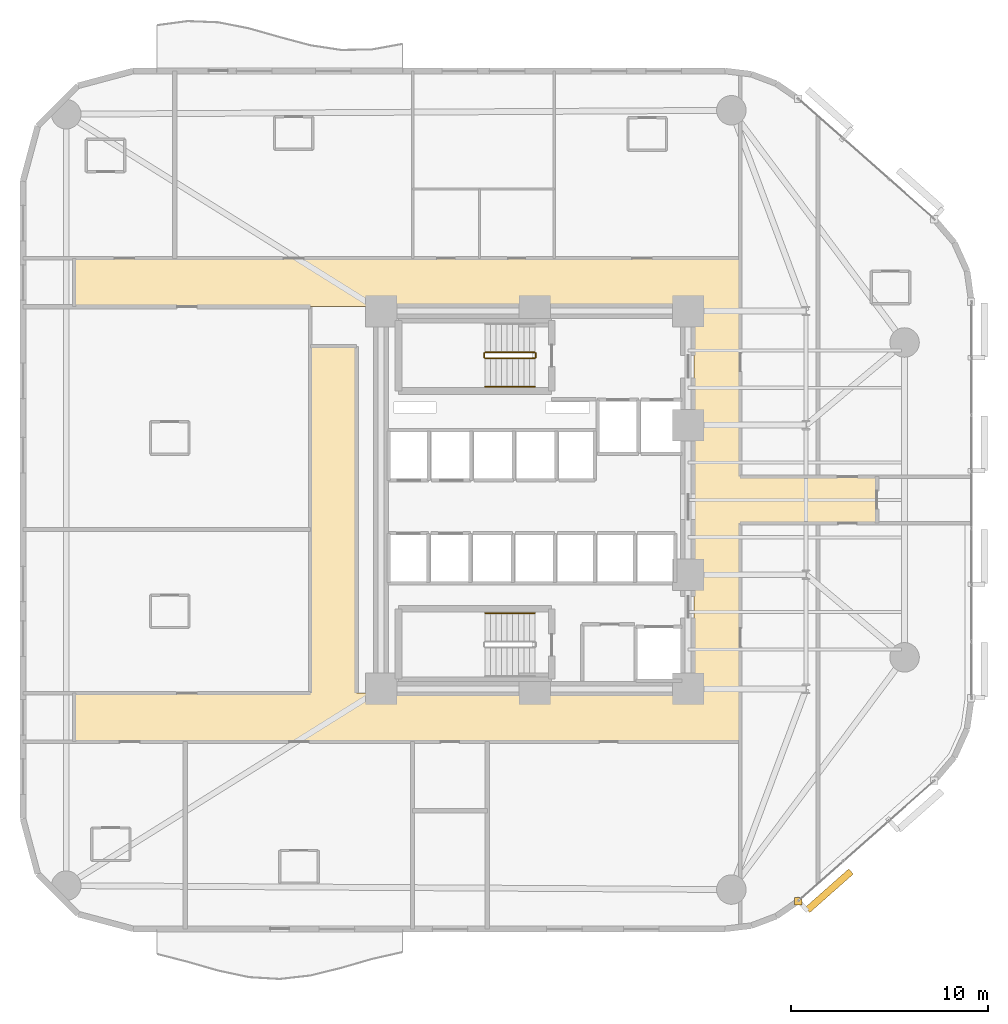
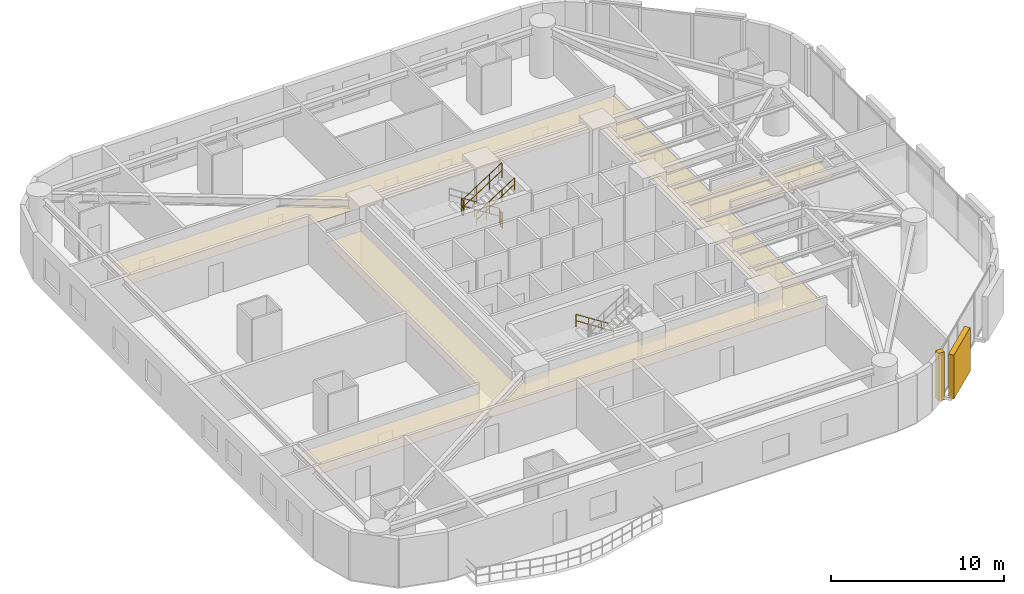
# One storey, part 15 of 16: 6 railings, 2 coverings, 1 shading device.
"""IFC4 building model written with IfcOpenShell, lengths in metres."""

import ifcopenshell
import ifcopenshell.guid

model = None  # the IFC model being written
_history = None  # IfcOwnerHistory: only IFC2X3 demands one
_inside = {}  # id of a spatial element -> (the spatial element, [elements in it])
_under = {}  # id of a project, library or spatial element -> (it, [spatial elements below it])
_declared = {}  # id of a project -> (the project, [libraries it declares])
_typed = {}  # id of a type object -> (the type object, [elements of that type])
_made_of = {}  # id of a material, layer set ... -> (it, [elements and type objects made of it])


def new_model(schema):
    """Start an empty IFC model of exactly this schema.

    Asked for "IFC4X3", IfcOpenShell would pick the latest addendum, in which some entities
    have other attributes; the version numbers below select the first issue.
    IFC2X3 requires an IfcOwnerHistory on every rooted entity: one is made here for all.
    """
    global model, _history
    if schema == "IFC4X3":
        model = ifcopenshell.file(schema_version=(4, 3, 0, 0))
    else:
        model = ifcopenshell.file(schema=schema)
    _inside.clear()
    _under.clear()
    _declared.clear()
    _typed.clear()
    _made_of.clear()
    _history = None
    if model.schema == "IFC2X3":
        org = make("IfcOrganization", Name="unknown")
        user = make(
            "IfcPersonAndOrganization",
            ThePerson=make("IfcPerson", FamilyName="unknown"),
            TheOrganization=org,
        )
        app = make(
            "IfcApplication",
            ApplicationDeveloper=org,
            Version="unknown",
            ApplicationFullName="unknown",
            ApplicationIdentifier="unknown",
        )
        _history = make(
            "IfcOwnerHistory",
            OwningUser=user,
            OwningApplication=app,
            ChangeAction="ADDED",
            CreationDate=0,
        )
    return model


def make(cls, **values):
    """One entity of the class cls with the attributes given. An attribute that is None is left unset."""
    return model.create_entity(
        cls, **{name: value for name, value in values.items() if value is not None}
    )


def rooted(cls, **values):
    """An entity with a GlobalId (a new one), such as an element, a storey or a relation."""
    return make(cls, GlobalId=ifcopenshell.guid.new(), OwnerHistory=_history, **values)


def si_unit(unit_type, name, prefix=None):
    """IfcSIUnit, for example si_unit("LENGTHUNIT", "METRE", prefix="MILLI")."""
    return make("IfcSIUnit", UnitType=unit_type, Prefix=prefix, Name=name)


def assignment(units):
    """IfcUnitAssignment: the units of a project."""
    return None if units is None else make("IfcUnitAssignment", Units=units)


def point(xyz):
    """IfcCartesianPoint."""
    return None if xyz is None else make("IfcCartesianPoint", Coordinates=xyz)


def direction(xyz):
    """IfcDirection."""
    return None if xyz is None else make("IfcDirection", DirectionRatios=xyz)


def frame(location, z_axis=None, x_axis=None):
    """IfcAxis2Placement3D, a coordinate frame: its origin and axes. An axis left out is left unset."""
    return make(
        "IfcAxis2Placement3D",
        Location=point(location),
        Axis=direction(z_axis),
        RefDirection=direction(x_axis),
    )


def frame_2d(location, x_axis=None):
    """IfcAxis2Placement2D, a coordinate frame in the plane: its origin and x axis."""
    return make(
        "IfcAxis2Placement2D", Location=point(location), RefDirection=direction(x_axis)
    )


def origin():
    """The frame at (0, 0, 0) with its axes left unset."""
    return frame((0.0, 0.0, 0.0))


def origin_2d():
    """The frame at (0, 0) in the plane with its x axis left unset."""
    return frame_2d((0.0, 0.0))


def place(relative_to, where):
    """IfcLocalPlacement: puts the frame where relative to a parent placement (None: the world)."""
    return make(
        "IfcLocalPlacement", PlacementRelTo=relative_to, RelativePlacement=where
    )


def context(
    kind, dimensions, precision=None, world=None, true_north=None, identifier=None
):
    """IfcGeometricRepresentationContext, for example the 3D "Model" context."""
    return make(
        "IfcGeometricRepresentationContext",
        ContextIdentifier=identifier,
        ContextType=kind,
        CoordinateSpaceDimension=dimensions,
        Precision=precision,
        WorldCoordinateSystem=world,
        TrueNorth=true_north,
    )


def subcontext(parent, identifier, kind, view, scale=None):
    """IfcGeometricRepresentationSubContext, for example "Body" below "Model"."""
    return make(
        "IfcGeometricRepresentationSubContext",
        ContextIdentifier=identifier,
        ContextType=kind,
        ParentContext=parent,
        TargetScale=scale,
        TargetView=view,
    )


def project(units=None, contexts=None):
    """IfcProject with its units and contexts."""
    return rooted(
        "IfcProject",
        Name="project",
        RepresentationContexts=contexts,
        UnitsInContext=assignment(units),
    )


def spatial(cls, under=None, at=None, **own):
    """A site, building, storey or space (cls), placed at a placement, below another one or the project."""
    s = rooted(cls, ObjectPlacement=at, **own)
    if under is not None:
        _under.setdefault(under.id(), (under, []))[1].append(s)
    return s


def polyline(points):
    """IfcPolyline through the points."""
    return make("IfcPolyline", Points=[point(p) for p in points])


def profile(cls, at=None, kind="AREA", **sizes):
    """A parametric profile (cls). Its sizes go by their IFC names, for example OverallWidth=200.0."""
    return make(cls, ProfileType=kind, Position=at, **sizes)


def rectangle(**sizes):
    """IfcRectangleProfileDef."""
    return profile("IfcRectangleProfileDef", **sizes)


def circle(**sizes):
    """IfcCircleProfileDef."""
    return profile("IfcCircleProfileDef", **sizes)


def outline(outer, holes=None, kind="AREA"):
    """IfcArbitraryClosedProfileDef: a profile drawn as a closed curve; with holes, ...WithVoids."""
    if holes is None:
        return make("IfcArbitraryClosedProfileDef", ProfileType=kind, OuterCurve=outer)
    return make(
        "IfcArbitraryProfileDefWithVoids",
        ProfileType=kind,
        OuterCurve=outer,
        InnerCurves=holes,
    )


def extrude(swept, where, along, depth):
    """IfcExtrudedAreaSolid: the profile swept, set in the frame where, extruded along a direction by depth."""
    return make(
        "IfcExtrudedAreaSolid",
        SweptArea=swept,
        Position=where,
        ExtrudedDirection=direction(along),
        Depth=depth,
    )


def shape(context_of_items, identifier, shape_type, items):
    """IfcShapeRepresentation: the items that make up one representation, for example the "Body"."""
    return make(
        "IfcShapeRepresentation",
        ContextOfItems=context_of_items,
        RepresentationIdentifier=identifier,
        RepresentationType=shape_type,
        Items=items,
    )


def material(Name=None, Category=None):
    """IfcMaterial."""
    return make("IfcMaterial", Name=Name, Category=Category)


def layer(
    of_material, thickness, ventilated=None, Name=None, Category=None, Priority=None
):
    """IfcMaterialLayer: one layer of a wall or slab, of a material (None: an air gap)."""
    return make(
        "IfcMaterialLayer",
        Material=of_material,
        LayerThickness=thickness,
        IsVentilated=ventilated,
        Name=Name,
        Category=Category,
        Priority=Priority,
    )


def layer_set(layers, Name=None):
    """IfcMaterialLayerSet."""
    return make("IfcMaterialLayerSet", MaterialLayers=layers, LayerSetName=Name)


def made_of(thing, what):
    """Note that an element or type object is made of a material, layer set ...; save() writes the relation."""
    if what is not None:
        _made_of.setdefault(what.id(), (what, []))[1].append(thing)
    return thing


def type_object(cls, material=None, **own):
    """A type object (cls), such as IfcWallType, which elements share."""
    return made_of(rooted(cls, **own), material)


def element(
    cls,
    number,
    at=None,
    inside=None,
    cuts=None,
    type_object=None,
    material=None,
    context=None,
    identifier="Body",
    shape_type=None,
    held_by="IfcProductDefinitionShape",
    body=None,
    shapes=None,
    **own,
):
    """One element of the class cls, such as IfcWall. Its Tag is "e" and its number.

    at: its placement. inside: the storey or other place that contains it. cuts: it is an
    opening in that element (IfcRelVoidsElement). A single representation is given by context,
    identifier, shape_type and body (its items); several are given by shapes. held_by: the class
    of the entity that holds the representations. save() writes the other relations.
    """
    e = rooted(cls, Tag="e%d" % number, ObjectPlacement=at, **own)
    if body is not None:
        shapes = [shape(context, identifier, shape_type, body)]
    if shapes is not None:
        e.Representation = make(held_by, Representations=shapes)
    if inside is not None:
        _inside.setdefault(inside.id(), (inside, []))[1].append(e)
    if cuts is not None:
        rooted(
            "IfcRelVoidsElement", RelatingBuildingElement=cuts, RelatedOpeningElement=e
        )
    if type_object is not None:
        _typed.setdefault(type_object.id(), (type_object, []))[1].append(e)
    return made_of(e, material)


def aggregate(whole, parts):
    """IfcRelAggregates: a whole, such as a stair, and the parts it consists of."""
    return rooted("IfcRelAggregates", RelatingObject=whole, RelatedObjects=parts)


def save(model, path):
    """Write the relations noted so far, then the file.

    IfcRelAggregates (storeys below a building ...), IfcRelContainedInSpatialStructure (elements
    in a storey), IfcRelDefinesByType, IfcRelAssociatesMaterial and IfcRelDeclares: one each for
    every whole, place, type object, material and project.
    """
    for whole, parts in _under.values():
        aggregate(whole, parts)
    for where, things in _inside.values():
        rooted(
            "IfcRelContainedInSpatialStructure",
            RelatedElements=things,
            RelatingStructure=where,
        )
    for kind, things in _typed.values():
        rooted("IfcRelDefinesByType", RelatedObjects=things, RelatingType=kind)
    for what, things in _made_of.values():
        rooted("IfcRelAssociatesMaterial", RelatedObjects=things, RelatingMaterial=what)
    for by, libraries in _declared.values():
        rooted("IfcRelDeclares", RelatingContext=by, RelatedDefinitions=libraries)
    model.write(path)


model = new_model("IFC4")

# Units and contexts
model_context = context("Model", 3, precision=1e-05, world=origin(), true_north=direction((0.0, 1.0)))
body_context = subcontext(model_context, "Body", "Model", "MODEL_VIEW")
ifc_project = project(units=[si_unit("LENGTHUNIT", "METRE"), si_unit("AREAUNIT", "SQUARE_METRE"), si_unit("VOLUMEUNIT", "CUBIC_METRE"), si_unit("PLANEANGLEUNIT", "RADIAN"), si_unit("MASSUNIT", "GRAM", prefix="KILO")], contexts=[model_context])

# Site, building, storey
site_placement = place(None, origin())
site = spatial("IfcSite", under=ifc_project, at=site_placement, CompositionType="ELEMENT")
building_placement = place(site_placement, origin())
building = spatial("IfcBuilding", under=site, at=building_placement, Name="An Khanh Terracotta Commons", CompositionType="ELEMENT")
storey_placement = place(building_placement, frame((0.0, 0.0, 28.800048828125)))
storey = spatial("IfcBuildingStorey", under=building, at=storey_placement, Name="L07", CompositionType="ELEMENT", Elevation=28.800048828125)

# Coverings
ifc_material_1 = material(Name="Perforated Mineral-Fibre Acoustic Tile")
ifc_layer_1 = layer(ifc_material_1, 0.02001953125, Name="Perforated Mineral-Fibre Acoustic Tile")
ifc_layer_set_1 = layer_set([ifc_layer_1], Name="Perforated Mineral-Fibre Acoustic Tile")
covering_type_1 = type_object("IfcCoveringType", Name="CEIL-ACOUSTIC-18", PredefinedType="CEILING", material=ifc_layer_set_1)
covering_1_placement = place(storey_placement, frame((0.0, 0.0, 2.64990234375)))
element("IfcCovering", 1, at=covering_1_placement, inside=storey, type_object=covering_type_1, Name="L07 Corridor Ceiling", PredefinedType="CEILING", context=body_context, shape_type="SweptSolid", body=[
    extrude(outline(polyline([(37.5, 11.719970703125), (6.0, 11.719970703125), (6.0, 14.179931640625), (18.0, 14.179931640625), (18.0, 31.800048828125), (20.35009765625, 31.800048828125), (20.35009765625, 14.179931640625), (37.5, 14.179931640625), (37.5, 33.820068359375), (6.0, 33.820068359375), (6.0, 36.280029296875), (37.5, 36.280029296875), (39.85009765625, 36.280029296875), (39.85009765625, 33.820068359375), (39.85009765625, 25.179931640625), (46.800048828125, 25.179931640625), (46.800048828125, 22.820068359375), (39.85009765625, 22.820068359375), (39.85009765625, 14.179931640625), (39.85009765625, 11.719970703125), (37.5, 11.719970703125)])), origin(), (0.0, 0.0, 1.0), 0.02001953125),
])
ifc_material_2 = material(Name="Fired Terracotta Rainscreen Cladding", Category="masonry")
ifc_layer_2 = layer(ifc_material_2, 0.080078125, Name="Fired Terracotta Rainscreen Cladding")
ifc_layer_set_2 = layer_set([ifc_layer_2], Name="Fired Terracotta Rainscreen Cladding")
covering_type_2 = type_object("IfcCoveringType", Name="COV-JAMB-TERRA", PredefinedType="CLADDING", material=ifc_layer_set_2)
covering_2_placement = place(storey_placement, frame((42.7890625, 3.60595703125, 0.0), z_axis=(0.0, 0.0, 1.0), x_axis=(1.0, 0.0, 0.0)))
element("IfcCovering", 2, at=covering_2_placement, inside=storey, type_object=covering_type_2, Name="L07 CW-02 Curtain-Wall Jamb Closure JA", PredefinedType="CLADDING", context=body_context, shape_type="SweptSolid", body=[
    extrude(rectangle(XDim=0.3798828125, YDim=0.3798828125, at=origin_2d()), origin(), (0.0, 0.0, 1.0), 3.39990234375),
])

# Railings
ifc_material_3 = material(Name="Brushed Stainless Steel 316", Category="steel")
railing_type_1 = type_object("IfcRailingType", Name="RAIL-HANDRAIL-900", PredefinedType="HANDRAIL", material=ifc_material_3)
railing_1_placement = place(storey_placement, frame((26.889892578125, 29.75, 1.97998046875)))
element("IfcRailing", 3, at=railing_1_placement, inside=storey, type_object=railing_type_1, Name="L07 ST-01 stair handrail 2", PredefinedType="HANDRAIL", context=body_context, shape_type="SweptSolid", body=[
    extrude(circle(Radius=0.02392578125, at=origin_2d()), frame((0.0, 0.0, 0.8759765625), z_axis=(0.841199657755, 0.0, 0.540724639528), x_axis=(0.0, 1.0, 0.0)), (0.0, 0.0, 1.0), 2.995849609375),
    extrude(circle(Radius=0.02392578125, at=origin_2d()), frame((0.0, 0.0, 0.42578125), z_axis=(0.841199657755, 0.0, 0.540724639528), x_axis=(0.0, 1.0, 0.0)), (0.0, 0.0, 1.0), 2.995849609375),
    extrude(circle(Radius=0.02099609375, at=origin_2d()), origin(), (0.0, 0.0, 1.0), 0.851806640625),
    extrude(circle(Radius=0.02099609375, at=origin_2d()), frame((0.840087890625, 0.0, 0.5400390625)), (0.0, 0.0, 1.0), 0.851806640625),
    extrude(circle(Radius=0.02099609375, at=origin_2d()), frame((1.679931640625, 0.0, 1.079833984375)), (0.0, 0.0, 1.0), 0.851806640625),
    extrude(circle(Radius=0.02099609375, at=origin_2d()), frame((2.52001953125, 0.0, 1.619873046875)), (0.0, 0.0, 1.0), 0.851806640625),
])
railing_2_placement = place(storey_placement, frame((29.409912109375, 18.25, 0.179931640625)))
element("IfcRailing", 4, at=railing_2_placement, inside=storey, type_object=railing_type_1, Name="L07 ST-02 stair handrail 1", PredefinedType="HANDRAIL", context=body_context, shape_type="SweptSolid", body=[
    extrude(circle(Radius=0.02392578125, at=origin_2d()), frame((0.0, 0.0, 0.8759765625), z_axis=(-0.841162588446, 0.0, 0.540782303519), x_axis=(0.0, -1.0, 0.0)), (0.0, 0.0, 1.0), 2.995849609375),
    extrude(circle(Radius=0.02392578125, at=origin_2d()), frame((0.0, 0.0, 0.42578125), z_axis=(-0.841162588446, 0.0, 0.540782303519), x_axis=(0.0, -1.0, 0.0)), (0.0, 0.0, 1.0), 2.995849609375),
    extrude(circle(Radius=0.02099609375, at=origin_2d()), origin(), (0.0, 0.0, 1.0), 0.851806640625),
    extrude(circle(Radius=0.02099609375, at=origin_2d()), frame((-0.840087890625, 0.0, 0.5400390625)), (0.0, 0.0, 1.0), 0.851806640625),
    extrude(circle(Radius=0.02099609375, at=origin_2d()), frame((-1.679931640625, 0.0, 1.080078125)), (0.0, 0.0, 1.0), 0.851806640625),
    extrude(circle(Radius=0.02099609375, at=origin_2d()), frame((-2.52001953125, 0.0, 1.6201171875)), (0.0, 0.0, 1.0), 0.851806640625),
])
ifc_material_4 = material(Name="Powder-Coated Steel S355J2", Category="steel")
railing_type_2 = type_object("IfcRailingType", Name="RAIL-STAIR-GUARD-1100", PredefinedType="BALUSTRADE", material=ifc_material_4)
railing_3_placement = place(storey_placement, frame((29.409912109375, 31.5, 0.179931640625)))
element("IfcRailing", 5, at=railing_3_placement, inside=storey, type_object=railing_type_2, Name="L07 ST-01 stair guard 1", PredefinedType="BALUSTRADE", context=body_context, shape_type="SweptSolid", body=[
    extrude(circle(Radius=0.02392578125, at=origin_2d()), frame((0.0, 0.0, 1.076171875), z_axis=(-0.841162588446, 0.0, 0.540782303519), x_axis=(0.0, -1.0, 0.0)), (0.0, 0.0, 1.0), 2.995849609375),
    extrude(circle(Radius=0.02392578125, at=origin_2d()), frame((0.0, 0.0, 0.52587890625), z_axis=(-0.841162588446, 0.0, 0.540782303519), x_axis=(0.0, -1.0, 0.0)), (0.0, 0.0, 1.0), 2.995849609375),
    extrude(circle(Radius=0.02099609375, at=origin_2d()), origin(), (0.0, 0.0, 1.0), 1.052001953125),
    extrude(circle(Radius=0.02099609375, at=origin_2d()), frame((-0.840087890625, 0.0, 0.5400390625)), (0.0, 0.0, 1.0), 1.052001953125),
    extrude(circle(Radius=0.02099609375, at=origin_2d()), frame((-1.679931640625, 0.0, 1.080078125)), (0.0, 0.0, 1.0), 1.052001953125),
    extrude(circle(Radius=0.02099609375, at=origin_2d()), frame((-2.52001953125, 0.0, 1.6201171875)), (0.0, 0.0, 1.0), 1.052001953125),
])
railing_4_placement = place(storey_placement, frame((26.840087890625, 31.449951171875, 1.800048828125)))
element("IfcRailing", 6, at=railing_4_placement, inside=storey, type_object=railing_type_2, Name="L07 ST-01 stair guard 2", PredefinedType="BALUSTRADE", context=body_context, shape_type="SweptSolid", body=[
    extrude(circle(Radius=0.02392578125, at=origin_2d()), frame((0.0, 0.0, 1.076171875), z_axis=(0.0, -1.0, 0.0), x_axis=(1.0, 0.0, 0.0)), (0.0, 0.0, 1.0), 0.199951171875),
    extrude(circle(Radius=0.02392578125, at=origin_2d()), frame((0.0, 0.0, 0.52587890625), z_axis=(0.0, -1.0, 0.0), x_axis=(1.0, 0.0, 0.0)), (0.0, 0.0, 1.0), 0.199951171875),
    extrude(circle(Radius=0.02099609375, at=origin_2d()), origin(), (0.0, 0.0, 1.0), 1.052001953125),
    extrude(circle(Radius=0.02099609375, at=origin_2d()), frame((0.0, -0.199951171875, 0.0)), (0.0, 0.0, 1.0), 1.052001953125),
])
railing_5_placement = place(storey_placement, frame((26.889892578125, 31.199951171875, 1.97998046875)))
element("IfcRailing", 7, at=railing_5_placement, inside=storey, type_object=railing_type_2, Name="L07 ST-01 stair guard 3", PredefinedType="BALUSTRADE", context=body_context, shape_type="SweptSolid", body=[
    extrude(circle(Radius=0.02392578125, at=origin_2d()), frame((0.0, 0.0, 1.076171875), z_axis=(0.841199657755, 0.0, 0.540724639528), x_axis=(0.0, 1.0, 0.0)), (0.0, 0.0, 1.0), 2.995849609375),
    extrude(circle(Radius=0.02392578125, at=origin_2d()), frame((0.0, 0.0, 0.52587890625), z_axis=(0.841199657755, 0.0, 0.540724639528), x_axis=(0.0, 1.0, 0.0)), (0.0, 0.0, 1.0), 2.995849609375),
    extrude(circle(Radius=0.02099609375, at=origin_2d()), origin(), (0.0, 0.0, 1.0), 1.052001953125),
    extrude(circle(Radius=0.02099609375, at=origin_2d()), frame((0.840087890625, 0.0, 0.5400390625)), (0.0, 0.0, 1.0), 1.052001953125),
    extrude(circle(Radius=0.02099609375, at=origin_2d()), frame((1.679931640625, 0.0, 1.079833984375)), (0.0, 0.0, 1.0), 1.052001953125),
    extrude(circle(Radius=0.02099609375, at=origin_2d()), frame((2.52001953125, 0.0, 1.619873046875)), (0.0, 0.0, 1.0), 1.052001953125),
])
railing_6_placement = place(storey_placement, frame((29.4599609375, 31.449951171875, 0.0)))
element("IfcRailing", 8, at=railing_6_placement, inside=storey, type_object=railing_type_2, Name="L07 ST-01 stair guard 4", PredefinedType="BALUSTRADE", context=body_context, shape_type="SweptSolid", body=[
    extrude(circle(Radius=0.02392578125, at=origin_2d()), frame((0.0, 0.0, 1.076171875), z_axis=(0.0, -1.0, 0.0), x_axis=(1.0, 0.0, 0.0)), (0.0, 0.0, 1.0), 0.199951171875),
    extrude(circle(Radius=0.02392578125, at=origin_2d()), frame((0.0, 0.0, 0.52587890625), z_axis=(0.0, -1.0, 0.0), x_axis=(1.0, 0.0, 0.0)), (0.0, 0.0, 1.0), 0.199951171875),
    extrude(circle(Radius=0.02099609375, at=origin_2d()), origin(), (0.0, 0.0, 1.0), 1.052001953125),
    extrude(circle(Radius=0.02099609375, at=origin_2d()), frame((0.0, -0.199951171875, 0.0)), (0.0, 0.0, 1.0), 1.052001953125),
])

# Shading device
ifc_material_5 = material(Name="Extruded Fired Terracotta", Category="masonry")
shading_device_type = type_object("IfcShadingDeviceType", Name="Terracotta Baguette Screen Assembly", PredefinedType="USERDEFINED", material=ifc_material_5)
shading_device_placement = place(storey_placement, frame((44.373046875, 4.138916015625, 0.14990234375), z_axis=(0.0, 0.0, 1.0), x_axis=(0.749019284633, 0.662548195415, 0.0)))
element("IfcShadingDevice", 9, at=shading_device_placement, inside=storey, type_object=shading_device_type, Name="L07 Terracotta Baguette Screen 1", ObjectType="BAGUETTE", PredefinedType="USERDEFINED", context=body_context, shape_type="SweptSolid", body=[
    extrude(rectangle(XDim=2.9599609375, YDim=0.35009765625, at=origin_2d()), origin(), (0.0, 0.0, 1.0), 3.10009765625),
])

save(model, "model.ifc")
